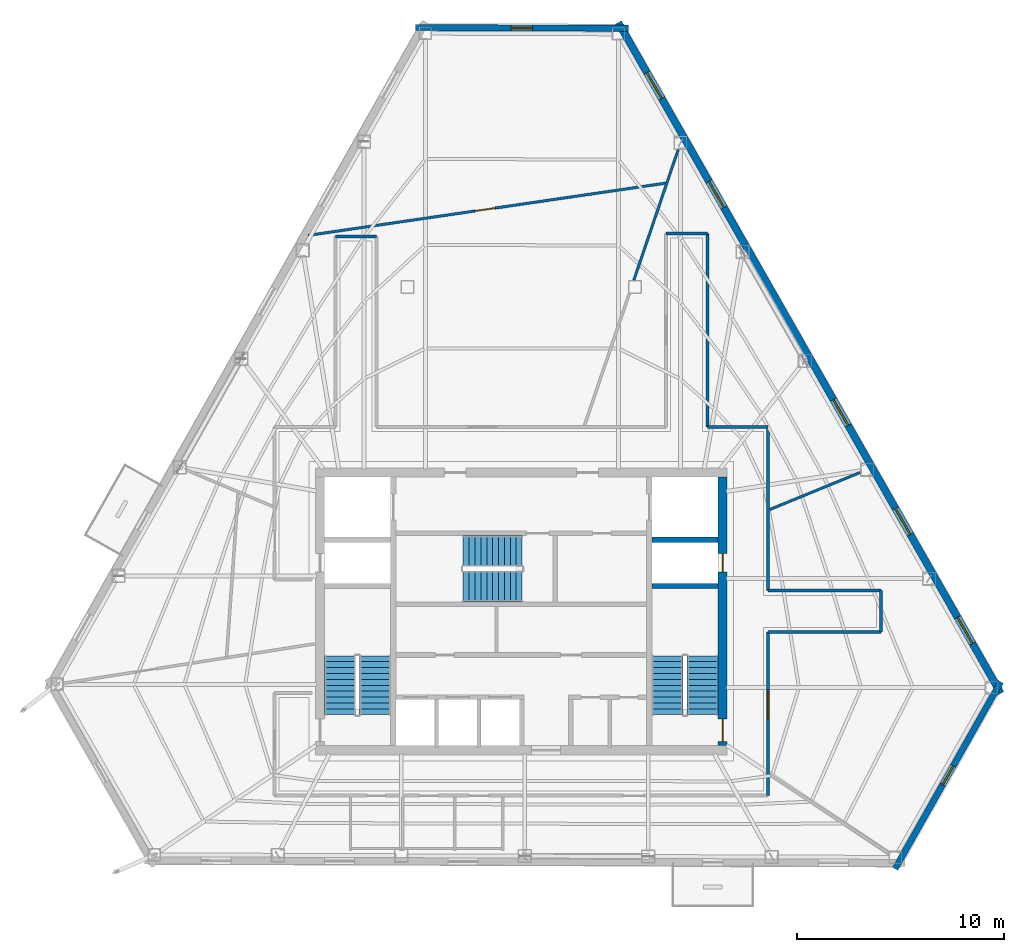
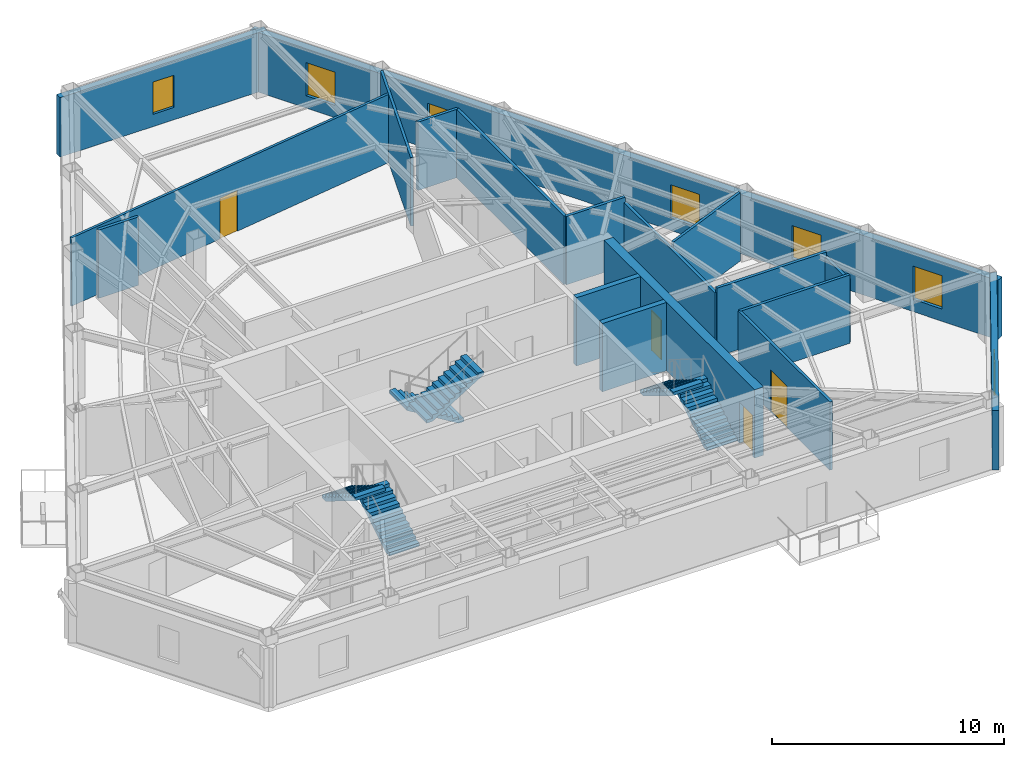
# One storey, part 10 of 13: 18 walls, 7 windows, 6 stair flights, 4 doors, 11 openings, 3 elements without a shape of their own.
"""IFC4 building model written with IfcOpenShell, lengths in metres."""

from ifc_helpers import new_model, si_unit, direction, frame, frame_2d, origin, place, context, subcontext, project, spatial, polyline, rectangle, outline, extrude, material, layer, layer_set, type_object, element, fill, aggregate, save


model = new_model("IFC4")

# Units and contexts
model_context = context("Model", 3, precision=1e-05, world=origin(), true_north=direction((0.0, 1.0)))
body_context = subcontext(model_context, "Body", "Model", "MODEL_VIEW")
ifc_project = project(units=[si_unit("LENGTHUNIT", "METRE"), si_unit("AREAUNIT", "SQUARE_METRE"), si_unit("VOLUMEUNIT", "CUBIC_METRE"), si_unit("PLANEANGLEUNIT", "RADIAN"), si_unit("MASSUNIT", "GRAM", prefix="KILO")], contexts=[model_context])

# Site, building, storey
site_placement = place(None, origin())
site = spatial("IfcSite", under=ifc_project, at=site_placement, CompositionType="ELEMENT")
building_placement = place(site_placement, origin())
building = spatial("IfcBuilding", under=site, at=building_placement, Name="Kavelnor Concourse Tower", CompositionType="ELEMENT")
storey_placement = place(building_placement, frame((0.0, 0.0, 168.85009765625)))
storey = spatial("IfcBuildingStorey", under=building, at=storey_placement, Name="L42", CompositionType="ELEMENT", Elevation=168.85009765625)

# Wall, openings, doors
ifc_material_1 = material(Name="Concrete C50/60", Category="concrete")
ifc_layer_1 = layer(ifc_material_1, 0.43994140625, Name="Concrete C50/60")
ifc_layer_set_1 = layer_set([ifc_layer_1], Name="Concrete C50/60")
wall_type_1 = type_object("IfcWallType", Name="WL-CORE-Z3-440", PredefinedType="SOLIDWALL", material=ifc_layer_set_1)
wall_1_placement = place(storey_placement, frame((47.739990234375, 9.60009765625, 0.0), z_axis=(0.0, 0.0, 1.0), x_axis=(0.0, 1.0, 0.0)))
wall_1 = element("IfcWall", 1, at=wall_1_placement, inside=storey, type_object=wall_type_1, Name="L42 Central Core East Shear Wall", PredefinedType="SOLIDWALL", context=body_context, shape_type="SweptSolid", body=[
    extrude(rectangle(XDim=13.0, YDim=0.43994140625, at=frame_2d((6.5, 0.0))), origin(), (0.0, 0.0, 1.0), 3.599853515625),
])
opening_1_placement = place(wall_1_placement, frame((0.199951171875, 0.0, 0.0)))
opening_1 = element("IfcOpeningElement", 2, at=opening_1_placement, cuts=wall_1, Name="Opening FD-110", PredefinedType="OPENING", context=body_context, shape_type="SweptSolid", body=[
    extrude(rectangle(XDim=1.10009765625, YDim=2.14990234375, at=frame_2d((0.550048828125, 1.074951171875))), frame((0.0, 0.22998046875, 0.0), z_axis=(0.0, -1.0, 0.0), x_axis=(1.0, 0.0, 0.0)), (0.0, 0.0, 1.0), 0.4599609375),
])
opening_2_placement = place(wall_1_placement, frame((8.39990234375, 0.0, 0.0)))
opening_2 = element("IfcOpeningElement", 3, at=opening_2_placement, cuts=wall_1, Name="Opening FD-090", PredefinedType="OPENING", context=body_context, shape_type="SweptSolid", body=[
    extrude(rectangle(XDim=0.89990234375, YDim=2.10009765625, at=frame_2d((0.449951171875, 1.050048828125))), frame((0.0, 0.22998046875, 0.0), z_axis=(0.0, -1.0, 0.0), x_axis=(1.0, 0.0, 0.0)), (0.0, 0.0, 1.0), 0.4599609375),
])
ifc_material_2 = material(Name="Steel Grade 350", Category="steel")
door_type_1 = type_object("IfcDoorType", Name="DR-RISER-FIRE-900", OperationType="NOTDEFINED", PredefinedType="DOOR", material=ifc_material_2)
door_1_placement = place(opening_2_placement, origin())
door_1 = element("IfcDoor", 4, at=door_1_placement, inside=storey, type_object=door_type_1, Name="L42 East Riser Access Door", OperationType="SINGLE_SWING_LEFT", OverallHeight=2.10009765625, OverallWidth=0.89990234375, PredefinedType="DOOR", context=body_context, shape_type="SweptSolid", body=[
    extrude(rectangle(XDim=0.89990234375, YDim=2.10009765625, at=frame_2d((0.449951171875, 1.050048828125))), frame((0.0, 0.02490234375, 0.0), z_axis=(0.0, -1.0, 0.0), x_axis=(1.0, 0.0, 0.0)), (0.0, 0.0, 1.0), 0.050048828125),
])
fill(opening_2, door_1)
door_type_2 = type_object("IfcDoorType", Name="DR-STAIR-FIRE-1100", OperationType="NOTDEFINED", PredefinedType="DOOR", material=ifc_material_2)
door_2_placement = place(opening_1_placement, origin())
door_2 = element("IfcDoor", 5, at=door_2_placement, inside=storey, type_object=door_type_2, Name="L42 Stair ST2 Fire Door", OperationType="SINGLE_SWING_RIGHT", OverallHeight=2.14990234375, OverallWidth=1.10009765625, PredefinedType="DOOR", context=body_context, shape_type="SweptSolid", body=[
    extrude(rectangle(XDim=1.10009765625, YDim=2.14990234375, at=frame_2d((0.550048828125, 1.074951171875))), frame((0.0, 0.02490234375, 0.0), z_axis=(0.0, -1.0, 0.0), x_axis=(1.0, 0.0, 0.0)), (0.0, 0.0, 1.0), 0.050048828125),
])
fill(opening_1, door_2)

# Wall, opening, window
ifc_material_3 = material(Name="Buff ironspot clay face brick masonry", Category="masonry")
ifc_layer_2 = layer(ifc_material_3, 0.300048828125, Name="Buff ironspot clay face brick masonry")
ifc_layer_set_2 = layer_set([ifc_layer_2], Name="Buff ironspot clay face brick masonry")
wall_type_2 = type_object("IfcWallType", Name="WL-EXT-BUFF-BRICK-FOLD-300", PredefinedType="STANDARD", material=ifc_layer_set_2)
wall_2_placement = place(storey_placement, frame((32.880615234375, 44.348388671875, 0.0), z_axis=(0.0, 0.0, 1.0), x_axis=(0.999994089659, -0.00343811692, 0.0)))
wall_2 = element("IfcWall", 6, at=wall_2_placement, inside=storey, type_object=wall_type_2, Name="L42 Exterior Brick Facade Wall E0", PredefinedType="STANDARD", context=body_context, shape_type="SweptSolid", body=[
    extrude(rectangle(XDim=10.29638671875, YDim=0.300048828125, at=frame_2d((5.148193359375, 0.0))), origin(), (0.0, 0.0, 1.0), 3.1318359375),
])
opening_3_placement = place(wall_2_placement, frame((4.623291015625, 0.0, 0.64990234375)))
opening_3 = element("IfcOpeningElement", 7, at=opening_3_placement, cuts=wall_2, Name="Opening W-06", PredefinedType="OPENING", context=body_context, shape_type="SweptSolid", body=[
    extrude(rectangle(XDim=1.050048828125, YDim=1.699951171875, at=frame_2d((0.52490234375, 0.85009765625))), frame((0.0, 0.16015625, 0.0), z_axis=(0.0, -1.0, 0.0), x_axis=(1.0, 0.0, 0.0)), (0.0, 0.0, 1.0), 0.320068359375),
])
ifc_material_4 = material(Name="Double low-E argon insulated glazing", Category="glass")
window_type_1 = type_object("IfcWindowType", Name="WIN-FOLD-1050", PartitioningType="SINGLE_PANEL", PredefinedType="WINDOW", material=ifc_material_4)
window_1_placement = place(opening_3_placement, origin())
window_1 = element("IfcWindow", 8, at=window_1_placement, inside=storey, type_object=window_type_1, Name="L42 Chamfer-Fold Facet Window C0", OverallHeight=1.699951171875, OverallWidth=1.050048828125, PartitioningType="SINGLE_PANEL", PredefinedType="WINDOW", context=body_context, shape_type="SweptSolid", body=[
    extrude(rectangle(XDim=1.050048828125, YDim=1.699951171875, at=frame_2d((0.52490234375, 0.85009765625))), frame((0.0, 0.030029296875, 0.0), z_axis=(0.0, -1.0, 0.0), x_axis=(1.0, 0.0, 0.0)), (0.0, 0.0, 1.0), 0.06005859375),
])
fill(opening_3, window_1)

wall_3_placement = place(storey_placement, frame((61.203857421875, 12.68798828125, 0.0), z_axis=(0.0, 0.0, 1.0), x_axis=(-0.492343697675, -0.870400875091, 0.0)))
wall_3 = element("IfcWall", 9, at=wall_3_placement, inside=storey, type_object=wall_type_2, Name="L42 Exterior Brick Facade Wall E4", PredefinedType="STANDARD", context=body_context, shape_type="SweptSolid", body=[
    extrude(rectangle(XDim=10.390625, YDim=0.300048828125, at=frame_2d((5.1953125, 0.0))), origin(), (0.0, 0.0, 1.0), 3.1318359375),
])
opening_4_placement = place(wall_3_placement, frame((4.67041015625, 0.0, 0.64990234375)))
opening_4 = element("IfcOpeningElement", 10, at=opening_4_placement, cuts=wall_3, Name="Opening W-06", PredefinedType="OPENING", context=body_context, shape_type="SweptSolid", body=[
    extrude(rectangle(XDim=1.050048828125, YDim=1.699951171875, at=frame_2d((0.52490234375, 0.85009765625))), frame((0.0, 0.16015625, 0.0), z_axis=(0.0, -1.0, 0.0), x_axis=(1.0, 0.0, 0.0)), (0.0, 0.0, 1.0), 0.320068359375),
])
window_2_placement = place(opening_4_placement, origin())
window_2 = element("IfcWindow", 11, at=window_2_placement, inside=storey, type_object=window_type_1, Name="L42 Chamfer-Fold Facet Window C2", OverallHeight=1.699951171875, OverallWidth=1.050048828125, PartitioningType="SINGLE_PANEL", PredefinedType="WINDOW", context=body_context, shape_type="SweptSolid", body=[
    extrude(rectangle(XDim=1.050048828125, YDim=1.699951171875, at=frame_2d((0.52490234375, 0.85009765625))), frame((0.0, 0.030029296875, 0.0), z_axis=(0.0, -1.0, 0.0), x_axis=(1.0, 0.0, 0.0)), (0.0, 0.0, 1.0), 0.06005859375),
])
fill(opening_4, window_2)

# Wall, openings, windows
ifc_material_5 = material(Name="Red-ochre clay face brick masonry", Category="masonry")
ifc_layer_3 = layer(ifc_material_5, 0.35009765625, Name="Red-ochre clay face brick masonry")
ifc_layer_set_3 = layer_set([ifc_layer_3], Name="Red-ochre clay face brick masonry")
wall_type_3 = type_object("IfcWallType", Name="WL-EXT-RED-BRICK-PIER-350", PredefinedType="STANDARD", material=ifc_layer_set_3)
wall_4_placement = place(storey_placement, frame((42.6962890625, 44.59326171875, 0.0), z_axis=(0.0, 0.0, 1.0), x_axis=(0.495321099056, -0.868709968188, 0.0)))
wall_4 = element("IfcWall", 12, at=wall_4_placement, inside=storey, type_object=wall_type_3, Name="L42 Exterior Brick Facade Wall E5", PredefinedType="STANDARD", context=body_context, shape_type="SweptSolid", body=[
    extrude(rectangle(XDim=37.3662109375, YDim=0.35009765625, at=frame_2d((18.68310546875, 0.0))), origin(), (0.0, 0.0, 1.0), 3.1318359375),
])
opening_5_placement = place(wall_4_placement, frame((33.134033203125, 0.0, 0.64990234375)))
opening_5 = element("IfcOpeningElement", 13, at=opening_5_placement, cuts=wall_4, Name="Opening W-03", PredefinedType="OPENING", context=body_context, shape_type="SweptSolid", body=[
    extrude(rectangle(XDim=1.449951171875, YDim=1.75, at=frame_2d((0.72509765625, 0.875))), frame((0.0, 0.18505859375, 0.0), z_axis=(0.0, -1.0, 0.0), x_axis=(1.0, 0.0, 0.0)), (0.0, 0.0, 1.0), 0.3701171875),
])
opening_6_placement = place(wall_4_placement, frame((27.064697265625, 0.0, 0.64990234375)))
opening_6 = element("IfcOpeningElement", 14, at=opening_6_placement, cuts=wall_4, Name="Opening W-03", PredefinedType="OPENING", context=body_context, shape_type="SweptSolid", body=[
    extrude(rectangle(XDim=1.449951171875, YDim=1.75, at=frame_2d((0.72509765625, 0.875))), frame((0.0, 0.18505859375, 0.0), z_axis=(0.0, -1.0, 0.0), x_axis=(1.0, 0.0, 0.0)), (0.0, 0.0, 1.0), 0.3701171875),
])
opening_7_placement = place(wall_4_placement, frame((20.995361328125, 0.0, 0.64990234375)))
opening_7 = element("IfcOpeningElement", 15, at=opening_7_placement, cuts=wall_4, Name="Opening W-03", PredefinedType="OPENING", context=body_context, shape_type="SweptSolid", body=[
    extrude(rectangle(XDim=1.449951171875, YDim=1.75, at=frame_2d((0.72509765625, 0.875))), frame((0.0, 0.18505859375, 0.0), z_axis=(0.0, -1.0, 0.0), x_axis=(1.0, 0.0, 0.0)), (0.0, 0.0, 1.0), 0.3701171875),
])
opening_8_placement = place(wall_4_placement, frame((8.856689453125, 0.0, 0.64990234375)))
opening_8 = element("IfcOpeningElement", 16, at=opening_8_placement, cuts=wall_4, Name="Opening W-03", PredefinedType="OPENING", context=body_context, shape_type="SweptSolid", body=[
    extrude(rectangle(XDim=1.449951171875, YDim=1.75, at=frame_2d((0.72509765625, 0.875))), frame((0.0, 0.18505859375, 0.0), z_axis=(0.0, -1.0, 0.0), x_axis=(1.0, 0.0, 0.0)), (0.0, 0.0, 1.0), 0.3701171875),
])
opening_9_placement = place(wall_4_placement, frame((2.787353515625, 0.0, 0.64990234375)))
opening_9 = element("IfcOpeningElement", 17, at=opening_9_placement, cuts=wall_4, Name="Opening W-03", PredefinedType="OPENING", context=body_context, shape_type="SweptSolid", body=[
    extrude(rectangle(XDim=1.449951171875, YDim=1.75, at=frame_2d((0.72509765625, 0.875))), frame((0.0, 0.18505859375, 0.0), z_axis=(0.0, -1.0, 0.0), x_axis=(1.0, 0.0, 0.0)), (0.0, 0.0, 1.0), 0.3701171875),
])
window_type_2 = type_object("IfcWindowType", Name="WIN-PIER-Z3-1500", PartitioningType="SINGLE_PANEL", PredefinedType="WINDOW", material=ifc_material_4)
window_3_placement = place(opening_5_placement, origin())
window_3 = element("IfcWindow", 18, at=window_3_placement, inside=storey, type_object=window_type_2, Name="L42 Deep-Set Brick Pier Window F2-B0", OverallHeight=1.75, OverallWidth=1.449951171875, PartitioningType="SINGLE_PANEL", PredefinedType="WINDOW", context=body_context, shape_type="SweptSolid", body=[
    extrude(rectangle(XDim=1.449951171875, YDim=1.75, at=frame_2d((0.72509765625, 0.875))), frame((0.0, 0.030029296875, 0.0), z_axis=(0.0, -1.0, 0.0), x_axis=(1.0, 0.0, 0.0)), (0.0, 0.0, 1.0), 0.06005859375),
])
fill(opening_5, window_3)
window_4_placement = place(opening_6_placement, origin())
window_4 = element("IfcWindow", 19, at=window_4_placement, inside=storey, type_object=window_type_2, Name="L42 Deep-Set Brick Pier Window F2-B1", OverallHeight=1.75, OverallWidth=1.449951171875, PartitioningType="SINGLE_PANEL", PredefinedType="WINDOW", context=body_context, shape_type="SweptSolid", body=[
    extrude(rectangle(XDim=1.449951171875, YDim=1.75, at=frame_2d((0.72509765625, 0.875))), frame((0.0, 0.030029296875, 0.0), z_axis=(0.0, -1.0, 0.0), x_axis=(1.0, 0.0, 0.0)), (0.0, 0.0, 1.0), 0.06005859375),
])
fill(opening_6, window_4)
window_5_placement = place(opening_7_placement, origin())
window_5 = element("IfcWindow", 20, at=window_5_placement, inside=storey, type_object=window_type_2, Name="L42 Deep-Set Brick Pier Window F2-B2", OverallHeight=1.75, OverallWidth=1.449951171875, PartitioningType="SINGLE_PANEL", PredefinedType="WINDOW", context=body_context, shape_type="SweptSolid", body=[
    extrude(rectangle(XDim=1.449951171875, YDim=1.75, at=frame_2d((0.72509765625, 0.875))), frame((0.0, 0.030029296875, 0.0), z_axis=(0.0, -1.0, 0.0), x_axis=(1.0, 0.0, 0.0)), (0.0, 0.0, 1.0), 0.06005859375),
])
fill(opening_7, window_5)
window_6_placement = place(opening_8_placement, origin())
window_6 = element("IfcWindow", 21, at=window_6_placement, inside=storey, type_object=window_type_2, Name="L42 Deep-Set Brick Pier Window F2-B4", OverallHeight=1.75, OverallWidth=1.449951171875, PartitioningType="SINGLE_PANEL", PredefinedType="WINDOW", context=body_context, shape_type="SweptSolid", body=[
    extrude(rectangle(XDim=1.449951171875, YDim=1.75, at=frame_2d((0.72509765625, 0.875))), frame((0.0, 0.030029296875, 0.0), z_axis=(0.0, -1.0, 0.0), x_axis=(1.0, 0.0, 0.0)), (0.0, 0.0, 1.0), 0.06005859375),
])
fill(opening_8, window_6)
window_7_placement = place(opening_9_placement, origin())
window_7 = element("IfcWindow", 22, at=window_7_placement, inside=storey, type_object=window_type_2, Name="L42 Deep-Set Brick Pier Window F2-B5", OverallHeight=1.75, OverallWidth=1.449951171875, PartitioningType="SINGLE_PANEL", PredefinedType="WINDOW", context=body_context, shape_type="SweptSolid", body=[
    extrude(rectangle(XDim=1.449951171875, YDim=1.75, at=frame_2d((0.72509765625, 0.875))), frame((0.0, 0.030029296875, 0.0), z_axis=(0.0, -1.0, 0.0), x_axis=(1.0, 0.0, 0.0)), (0.0, 0.0, 1.0), 0.06005859375),
])
fill(opening_9, window_7)

# Walls
ifc_material_6 = material(Name="Gypsum plasterboard on light-gauge steel studs", Category="steel")
ifc_layer_4 = layer(ifc_material_6, 0.14501953125, Name="Gypsum plasterboard on light-gauge steel studs")
ifc_layer_set_4 = layer_set([ifc_layer_4], Name="Gypsum plasterboard on light-gauge steel studs")
wall_type_4 = type_object("IfcWallType", Name="WL-INT-CORR-145", PredefinedType="PARTITIONING", material=ifc_layer_set_4)
for number, where, z_axis, x_axis, name in (
    (23, (29.0, 34.236328125, 0.0), (0.0, 0.0, 1.0), (1.0, 0.0, 0.0), "L42 Corridor Wall WL-L42-CR-05"),
    (24, (45.0, 34.375, 0.0), (0.0, 0.0, 1.0), (1.0, 0.0, 0.0), "L42 Corridor Wall WL-L42-CR-09"),
):
    element("IfcWall", number, at=place(storey_placement, frame(where, z_axis=z_axis, x_axis=x_axis)), inside=storey, type_object=wall_type_4, Name=name, PredefinedType="PARTITIONING", context=body_context, shape_type="SweptSolid", body=[
        extrude(rectangle(XDim=2.0, YDim=0.14501953125, at=frame_2d((1.0, 0.0))), origin(), (0.0, 0.0, 1.0), 3.599853515625),
    ])
wall_5_placement = place(storey_placement, frame((47.0, 34.375, 0.0), z_axis=(0.0, 0.0, 1.0), x_axis=(0.0, -1.0, 0.0)))
element("IfcWall", 25, at=wall_5_placement, inside=storey, type_object=wall_type_4, Name="L42 Corridor Wall WL-L42-CR-10", PredefinedType="PARTITIONING", context=body_context, shape_type="SweptSolid", body=[
    extrude(rectangle(XDim=9.35498046875, YDim=0.14501953125, at=frame_2d((4.677490234375, 0.0))), origin(), (0.0, 0.0, 1.0), 3.599853515625),
])
wall_6_placement = place(storey_placement, frame((47.0, 25.02001953125, 0.0), z_axis=(0.0, 0.0, 1.0), x_axis=(1.0, 0.0, 0.0)))
element("IfcWall", 26, at=wall_6_placement, inside=storey, type_object=wall_type_4, Name="L42 Corridor Wall WL-L42-CR-11", PredefinedType="PARTITIONING", context=body_context, shape_type="SweptSolid", body=[
    extrude(rectangle(XDim=2.93994140625, YDim=0.14501953125, at=frame_2d((1.469970703125, 0.0))), origin(), (0.0, 0.0, 1.0), 3.599853515625),
])
wall_7_placement = place(storey_placement, frame((49.93994140625, 25.02001953125, 0.0), z_axis=(0.0, 0.0, 1.0), x_axis=(0.0, -1.0, 0.0)))
element("IfcWall", 27, at=wall_7_placement, inside=storey, type_object=wall_type_4, Name="L42 Corridor Wall WL-L42-CR-12", PredefinedType="PARTITIONING", context=body_context, shape_type="SweptSolid", body=[
    extrude(rectangle(XDim=7.919921875, YDim=0.14501953125, at=frame_2d((3.9599609375, 0.0))), origin(), (0.0, 0.0, 1.0), 3.3388671875),
])
wall_8_placement = place(storey_placement, frame((49.93994140625, 17.10009765625, 0.0), z_axis=(0.0, 0.0, 1.0), x_axis=(1.0, 0.0, 0.0)))
element("IfcWall", 28, at=wall_8_placement, inside=storey, type_object=wall_type_4, Name="L42 Corridor Wall WL-L42-CR-13", PredefinedType="PARTITIONING", context=body_context, shape_type="SweptSolid", body=[
    extrude(rectangle(XDim=5.4599609375, YDim=0.14501953125, at=frame_2d((2.72998046875, 0.0))), origin(), (0.0, 0.0, 1.0), 3.599853515625),
])
wall_9_placement = place(storey_placement, frame((55.39990234375, 17.10009765625, 0.0), z_axis=(0.0, 0.0, 1.0), x_axis=(0.0, -1.0, 0.0)))
element("IfcWall", 29, at=wall_9_placement, inside=storey, type_object=wall_type_4, Name="L42 Corridor Wall WL-L42-CR-14", PredefinedType="PARTITIONING", context=body_context, shape_type="SweptSolid", body=[
    extrude(rectangle(XDim=2.0, YDim=0.14501953125, at=frame_2d((1.0, 0.0))), origin(), (0.0, 0.0, 1.0), 3.3388671875),
])
wall_10_placement = place(storey_placement, frame((55.39990234375, 15.10009765625, 0.0), z_axis=(0.0, 0.0, 1.0), x_axis=(-1.0, 0.0, 0.0)))
element("IfcWall", 30, at=wall_10_placement, inside=storey, type_object=wall_type_4, Name="L42 Corridor Wall WL-L42-CR-15", PredefinedType="PARTITIONING", context=body_context, shape_type="SweptSolid", body=[
    extrude(rectangle(XDim=5.4599609375, YDim=0.14501953125, at=frame_2d((2.72998046875, 0.0))), origin(), (0.0, 0.0, 1.0), 3.599853515625),
])

# Wall, opening, door
wall_11_placement = place(storey_placement, frame((49.93994140625, 15.10009765625, 0.0), z_axis=(0.0, 0.0, 1.0), x_axis=(0.0, -1.0, 0.0)))
wall_11 = element("IfcWall", 31, at=wall_11_placement, inside=storey, type_object=wall_type_4, Name="L42 Corridor Wall WL-L42-CR-16", PredefinedType="PARTITIONING", context=body_context, shape_type="SweptSolid", body=[
    extrude(rectangle(XDim=7.920166015625, YDim=0.14501953125, at=frame_2d((3.9599609375, 0.0))), origin(), (0.0, 0.0, 1.0), 3.599853515625),
])
opening_10_placement = place(wall_11_placement, frame((2.816162109375, 0.0, 0.0)))
opening_10 = element("IfcOpeningElement", 32, at=opening_10_placement, cuts=wall_11, Name="Opening SD-140", PredefinedType="OPENING", context=body_context, shape_type="SweptSolid", body=[
    extrude(rectangle(XDim=1.39990234375, YDim=2.199951171875, at=frame_2d((0.699951171875, 1.10009765625))), frame((0.0, 0.08251953125, 0.0), z_axis=(0.0, -1.0, 0.0), x_axis=(1.0, 0.0, 0.0)), (0.0, 0.0, 1.0), 0.1650390625),
])
ifc_material_7 = material(Name="Solid-core hardwood timber", Category="wood")
door_type_3 = type_object("IfcDoorType", Name="DR-SUITE-ENTRY-1400", OperationType="NOTDEFINED", PredefinedType="DOOR", material=ifc_material_7)
door_3_placement = place(opening_10_placement, origin())
door_3 = element("IfcDoor", 33, at=door_3_placement, inside=storey, type_object=door_type_3, Name="L42 Executive Dining Room 08 Door", OperationType="SINGLE_SWING_LEFT", OverallHeight=2.199951171875, OverallWidth=1.39990234375, PredefinedType="DOOR", context=body_context, shape_type="SweptSolid", body=[
    extrude(rectangle(XDim=1.39990234375, YDim=2.199951171875, at=frame_2d((0.699951171875, 1.10009765625))), frame((0.0, 0.02490234375, 0.0), z_axis=(0.0, -1.0, 0.0), x_axis=(1.0, 0.0, 0.0)), (0.0, 0.0, 1.0), 0.050048828125),
])
fill(opening_10, door_3)

# Walls
ifc_layer_5 = layer(ifc_material_6, 0.125, Name="Gypsum plasterboard on light-gauge steel studs")
ifc_layer_set_5 = layer_set([ifc_layer_5], Name="Gypsum plasterboard on light-gauge steel studs")
wall_type_5 = type_object("IfcWallType", Name="WL-INT-SUITE-125", PredefinedType="PARTITIONING", material=ifc_layer_set_5)
wall_12_placement = place(storey_placement, frame((50.0205078125, 21.027099609375, 0.0), z_axis=(0.0, 0.0, 1.0), x_axis=(0.925291772023, 0.379256030441, 0.0)))
element("IfcWall", 34, at=wall_12_placement, inside=storey, type_object=wall_type_5, Name="L42 Radial Suite Partition 01", PredefinedType="PARTITIONING", context=body_context, shape_type="SweptSolid", body=[
    extrude(rectangle(XDim=4.728271484375, YDim=0.125, at=frame_2d((2.3642578125, 0.0))), origin(), (0.0, 0.0, 1.0), 3.599853515625),
])
wall_13_placement = place(storey_placement, frame((43.44677734375, 32.1279296875, 0.0), z_axis=(0.0, 0.0, 1.0), x_axis=(0.321734106444, 0.946830061178, 0.0)))
element("IfcWall", 35, at=wall_13_placement, inside=storey, type_object=wall_type_5, Name="L42 Radial Suite Partition 02", PredefinedType="PARTITIONING", context=body_context, shape_type="SweptSolid", body=[
    extrude(rectangle(XDim=6.6708984375, YDim=0.125, at=frame_2d((3.33544921875, 0.0))), origin(), (0.0, 0.0, 1.0), 3.599853515625),
])

# Wall, opening, door
wall_14_placement = place(storey_placement, frame((45.02734375, 36.826171875, 0.0), z_axis=(0.0, 0.0, 1.0), x_axis=(-0.989495020957, -0.144566951625, 0.0)))
wall_14 = element("IfcWall", 36, at=wall_14_placement, inside=storey, type_object=wall_type_5, Name="L42 Suite Subdivision Partition 02", PredefinedType="PARTITIONING", context=body_context, shape_type="SweptSolid", body=[
    extrude(rectangle(XDim=17.522705078125, YDim=0.125, at=frame_2d((8.76123046875, 0.0))), origin(), (0.0, 0.0, 1.0), 3.599853515625),
])
opening_11_placement = place(wall_14_placement, frame((8.387939453125, 0.0, 0.0)))
opening_11 = element("IfcOpeningElement", 37, at=opening_11_placement, cuts=wall_14, Name="Opening OD-098", PredefinedType="OPENING", context=body_context, shape_type="SweptSolid", body=[
    extrude(rectangle(XDim=0.97998046875, YDim=2.14990234375, at=frame_2d((0.489990234375, 1.074951171875))), frame((0.0, 0.072509765625, 0.0), z_axis=(0.0, -1.0, 0.0), x_axis=(1.0, 0.0, 0.0)), (0.0, 0.0, 1.0), 0.14501953125),
])
door_type_4 = type_object("IfcDoorType", Name="DR-OFFICE-980", OperationType="NOTDEFINED", PredefinedType="DOOR", material=ifc_material_7)
door_4_placement = place(opening_11_placement, origin())
door_4 = element("IfcDoor", 38, at=door_4_placement, inside=storey, type_object=door_type_4, Name="L42 Staff Breakout Pantry 03 Door", OperationType="SINGLE_SWING_RIGHT", OverallHeight=2.14990234375, OverallWidth=0.97998046875, PredefinedType="DOOR", context=body_context, shape_type="SweptSolid", body=[
    extrude(rectangle(XDim=0.97998046875, YDim=2.14990234375, at=frame_2d((0.489990234375, 1.074951171875))), frame((0.0, 0.02490234375, 0.0), z_axis=(0.0, -1.0, 0.0), x_axis=(1.0, 0.0, 0.0)), (0.0, 0.0, 1.0), 0.050048828125),
])
fill(opening_11, door_4)

# Walls
ifc_layer_6 = layer(ifc_material_1, 0.260009765625, Name="Concrete C50/60")
ifc_layer_set_6 = layer_set([ifc_layer_6], Name="Concrete C50/60")
wall_type_6 = type_object("IfcWallType", Name="WL-SHAFT-260", PredefinedType="SHEAR", material=ifc_layer_set_6)
for number, where, z_axis, x_axis, name in (
    (39, (44.320068359375, 17.330078125, 0.0), (0.0, 0.0, 1.0), (1.0, 0.0, 0.0), "L42 Stair ST2 North Shaft Wall"),
    (40, (44.320068359375, 19.570068359375, 0.0), (0.0, 0.0, 1.0), (1.0, 0.0, 0.0), "L42 Emergency Lift FL2 South Shaft Wall"),
):
    element("IfcWall", number, at=place(storey_placement, frame(where, z_axis=z_axis, x_axis=x_axis)), inside=storey, type_object=wall_type_6, Name=name, PredefinedType="SHEAR", context=body_context, shape_type="SweptSolid", body=[
        extrude(rectangle(XDim=3.199951171875, YDim=0.260009765625, at=frame_2d((1.60009765625, 0.0))), origin(), (0.0, 0.0, 1.0), 3.599853515625),
    ])

# Stair, stair flights
ifc_material_8 = material(Name="Concrete C40/50", Category="concrete")
stair_type = type_object("IfcStairType", Name="STR-CORE-1500", PredefinedType="HALF_TURN_STAIR", material=ifc_material_8)
stair_1_placement = place(storey_placement, origin())
stair_1 = element("IfcStair", 41, at=stair_1_placement, inside=storey, type_object=stair_type, Name="L42 ST1", PredefinedType="HALF_TURN_STAIR")
stair_flight_type = type_object("IfcStairFlightType", Name="STR-FLIGHT-1500", PredefinedType="STRAIGHT", material=ifc_material_8)
stair_flight_1_placement = place(storey_placement, frame((30.929931640625, 11.10009765625, 0.0), z_axis=(0.0, 0.0, 1.0), x_axis=(0.0, 1.0, 0.0)))
stair_flight_1 = element("IfcStairFlight", 42, at=stair_flight_1_placement, type_object=stair_flight_type, Name="ST1 flight 1", NumberOfRisers=11, NumberOfTreads=10, PredefinedType="STRAIGHT", RiserHeight=0.175, TreadLength=0.285, context=body_context, shape_type="SweptSolid", body=[
    extrude(outline(polyline([(0.0, 0.0), (0.0, 0.175048828125), (0.284912109375, 0.175048828125), (0.284912109375, 0.35009765625), (0.570068359375, 0.35009765625), (0.570068359375, 0.52490234375), (0.85498046875, 0.52490234375), (0.85498046875, 0.699951171875), (1.139892578125, 0.699951171875), (1.139892578125, 0.875), (1.425048828125, 0.875), (1.425048828125, 1.050048828125), (1.7099609375, 1.050048828125), (1.7099609375, 1.22509765625), (1.9951171875, 1.22509765625), (1.9951171875, 1.39990234375), (2.280029296875, 1.39990234375), (2.280029296875, 1.574951171875), (2.56494140625, 1.574951171875), (2.56494140625, 1.75), (2.85009765625, 1.75), (2.85009765625, 1.925048828125), (2.85009765625, 1.573974609375), (0.286376953125, 0.0), (0.0, 0.0)])), frame((0.0, 0.75, 0.0), z_axis=(0.0, -1.0, 0.0), x_axis=(1.0, 0.0, 0.0)), (0.0, 0.0, 1.0), 1.5),
])
stair_flight_2_placement = place(storey_placement, frame((29.22998046875, 13.949951171875, 1.9248046875), z_axis=(0.0, 0.0, 1.0), x_axis=(0.0, -1.0, 0.0)))
stair_flight_2 = element("IfcStairFlight", 43, at=stair_flight_2_placement, type_object=stair_flight_type, Name="ST1 flight 2", NumberOfRisers=11, NumberOfTreads=10, PredefinedType="STRAIGHT", RiserHeight=0.175, TreadLength=0.285, context=body_context, shape_type="SweptSolid", body=[
    extrude(outline(polyline([(0.0, 0.0), (0.0, 0.175048828125), (0.284912109375, 0.175048828125), (0.284912109375, 0.35009765625), (0.570068359375, 0.35009765625), (0.570068359375, 0.52490234375), (0.85498046875, 0.52490234375), (0.85498046875, 0.699951171875), (1.139892578125, 0.699951171875), (1.139892578125, 0.875), (1.425048828125, 0.875), (1.425048828125, 1.050048828125), (1.7099609375, 1.050048828125), (1.7099609375, 1.22509765625), (1.9951171875, 1.22509765625), (1.9951171875, 1.39990234375), (2.280029296875, 1.39990234375), (2.280029296875, 1.574951171875), (2.56494140625, 1.574951171875), (2.56494140625, 1.75), (2.85009765625, 1.75), (2.85009765625, 1.925048828125), (2.85009765625, 1.573974609375), (0.286376953125, 0.0), (0.0, 0.0)])), frame((0.0, 0.75, 0.0), z_axis=(0.0, -1.0, 0.0), x_axis=(1.0, 0.0, 0.0)), (0.0, 0.0, 1.0), 1.5),
])
aggregate(stair_1, [stair_flight_1, stair_flight_2])

stair_2_placement = place(storey_placement, origin())
stair_2 = element("IfcStair", 44, at=stair_2_placement, inside=storey, type_object=stair_type, Name="L42 ST2", PredefinedType="HALF_TURN_STAIR")
stair_flight_3_placement = place(storey_placement, frame((46.77001953125, 11.10009765625, 0.0), z_axis=(0.0, 0.0, 1.0), x_axis=(0.0, 1.0, 0.0)))
stair_flight_3 = element("IfcStairFlight", 45, at=stair_flight_3_placement, type_object=stair_flight_type, Name="ST2 flight 1", NumberOfRisers=11, NumberOfTreads=10, PredefinedType="STRAIGHT", RiserHeight=0.175, TreadLength=0.285, context=body_context, shape_type="SweptSolid", body=[
    extrude(outline(polyline([(0.0, 0.0), (0.0, 0.175048828125), (0.284912109375, 0.175048828125), (0.284912109375, 0.35009765625), (0.570068359375, 0.35009765625), (0.570068359375, 0.52490234375), (0.85498046875, 0.52490234375), (0.85498046875, 0.699951171875), (1.139892578125, 0.699951171875), (1.139892578125, 0.875), (1.425048828125, 0.875), (1.425048828125, 1.050048828125), (1.7099609375, 1.050048828125), (1.7099609375, 1.22509765625), (1.9951171875, 1.22509765625), (1.9951171875, 1.39990234375), (2.280029296875, 1.39990234375), (2.280029296875, 1.574951171875), (2.56494140625, 1.574951171875), (2.56494140625, 1.75), (2.85009765625, 1.75), (2.85009765625, 1.925048828125), (2.85009765625, 1.573974609375), (0.286376953125, 0.0), (0.0, 0.0)])), frame((0.0, 0.75, 0.0), z_axis=(0.0, -1.0, 0.0), x_axis=(1.0, 0.0, 0.0)), (0.0, 0.0, 1.0), 1.5),
])
stair_flight_4_placement = place(storey_placement, frame((45.070068359375, 13.949951171875, 1.9248046875), z_axis=(0.0, 0.0, 1.0), x_axis=(0.0, -1.0, 0.0)))
stair_flight_4 = element("IfcStairFlight", 46, at=stair_flight_4_placement, type_object=stair_flight_type, Name="ST2 flight 2", NumberOfRisers=11, NumberOfTreads=10, PredefinedType="STRAIGHT", RiserHeight=0.175, TreadLength=0.285, context=body_context, shape_type="SweptSolid", body=[
    extrude(outline(polyline([(0.0, 0.0), (0.0, 0.175048828125), (0.284912109375, 0.175048828125), (0.284912109375, 0.35009765625), (0.570068359375, 0.35009765625), (0.570068359375, 0.52490234375), (0.85498046875, 0.52490234375), (0.85498046875, 0.699951171875), (1.139892578125, 0.699951171875), (1.139892578125, 0.875), (1.425048828125, 0.875), (1.425048828125, 1.050048828125), (1.7099609375, 1.050048828125), (1.7099609375, 1.22509765625), (1.9951171875, 1.22509765625), (1.9951171875, 1.39990234375), (2.280029296875, 1.39990234375), (2.280029296875, 1.574951171875), (2.56494140625, 1.574951171875), (2.56494140625, 1.75), (2.85009765625, 1.75), (2.85009765625, 1.925048828125), (2.85009765625, 1.573974609375), (0.286376953125, 0.0), (0.0, 0.0)])), frame((0.0, 0.75, 0.0), z_axis=(0.0, -1.0, 0.0), x_axis=(1.0, 0.0, 0.0)), (0.0, 0.0, 1.0), 1.5),
])
aggregate(stair_2, [stair_flight_3, stair_flight_4])

stair_3_placement = place(storey_placement, origin())
stair_3 = element("IfcStair", 47, at=stair_3_placement, inside=storey, type_object=stair_type, Name="L42 ST3", PredefinedType="HALF_TURN_STAIR")
stair_flight_5_placement = place(storey_placement, frame((38.0400390625, 19.010009765625, 0.0), z_axis=(0.0, 0.0, 1.0), x_axis=(-1.0, 0.0, 0.0)))
stair_flight_5 = element("IfcStairFlight", 48, at=stair_flight_5_placement, type_object=stair_flight_type, Name="ST3 flight 1", NumberOfRisers=11, NumberOfTreads=10, PredefinedType="STRAIGHT", RiserHeight=0.175, TreadLength=0.285, context=body_context, shape_type="SweptSolid", body=[
    extrude(outline(polyline([(0.0, 0.0), (0.0, 0.175048828125), (0.284912109375, 0.175048828125), (0.284912109375, 0.35009765625), (0.570068359375, 0.35009765625), (0.570068359375, 0.52490234375), (0.85498046875, 0.52490234375), (0.85498046875, 0.699951171875), (1.139892578125, 0.699951171875), (1.139892578125, 0.875), (1.425048828125, 0.875), (1.425048828125, 1.050048828125), (1.7099609375, 1.050048828125), (1.7099609375, 1.22509765625), (1.9951171875, 1.22509765625), (1.9951171875, 1.39990234375), (2.280029296875, 1.39990234375), (2.280029296875, 1.574951171875), (2.56494140625, 1.574951171875), (2.56494140625, 1.75), (2.85009765625, 1.75), (2.85009765625, 1.925048828125), (2.85009765625, 1.573974609375), (0.286376953125, 0.0), (0.0, 0.0)])), frame((0.0, 0.75, 0.0), z_axis=(0.0, -1.0, 0.0), x_axis=(1.0, 0.0, 0.0)), (0.0, 0.0, 1.0), 1.5),
])
stair_flight_6_placement = place(storey_placement, frame((35.18994140625, 17.31005859375, 1.9248046875), z_axis=(0.0, 0.0, 1.0), x_axis=(1.0, 0.0, 0.0)))
stair_flight_6 = element("IfcStairFlight", 49, at=stair_flight_6_placement, type_object=stair_flight_type, Name="ST3 flight 2", NumberOfRisers=11, NumberOfTreads=10, PredefinedType="STRAIGHT", RiserHeight=0.175, TreadLength=0.285, context=body_context, shape_type="SweptSolid", body=[
    extrude(outline(polyline([(0.0, 0.0), (0.0, 0.175048828125), (0.284912109375, 0.175048828125), (0.284912109375, 0.35009765625), (0.570068359375, 0.35009765625), (0.570068359375, 0.52490234375), (0.85498046875, 0.52490234375), (0.85498046875, 0.699951171875), (1.139892578125, 0.699951171875), (1.139892578125, 0.875), (1.425048828125, 0.875), (1.425048828125, 1.050048828125), (1.7099609375, 1.050048828125), (1.7099609375, 1.22509765625), (1.9951171875, 1.22509765625), (1.9951171875, 1.39990234375), (2.280029296875, 1.39990234375), (2.280029296875, 1.574951171875), (2.56494140625, 1.574951171875), (2.56494140625, 1.75), (2.85009765625, 1.75), (2.85009765625, 1.925048828125), (2.85009765625, 1.573974609375), (0.286376953125, 0.0), (0.0, 0.0)])), frame((0.0, 0.75, 0.0), z_axis=(0.0, -1.0, 0.0), x_axis=(1.0, 0.0, 0.0)), (0.0, 0.0, 1.0), 1.5),
])
aggregate(stair_3, [stair_flight_5, stair_flight_6])

save(model, "model.ifc")
